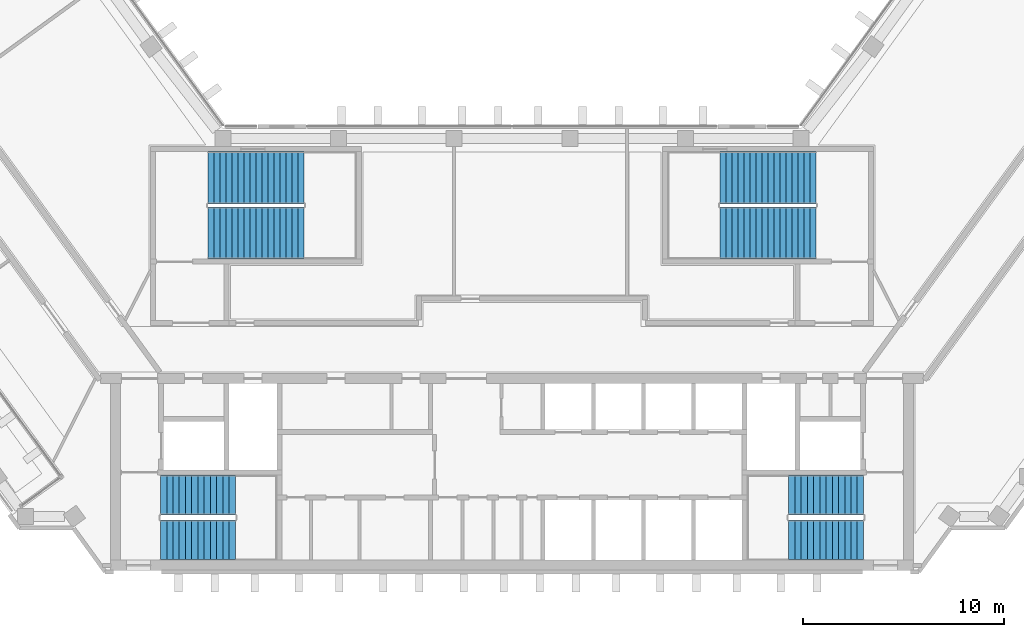
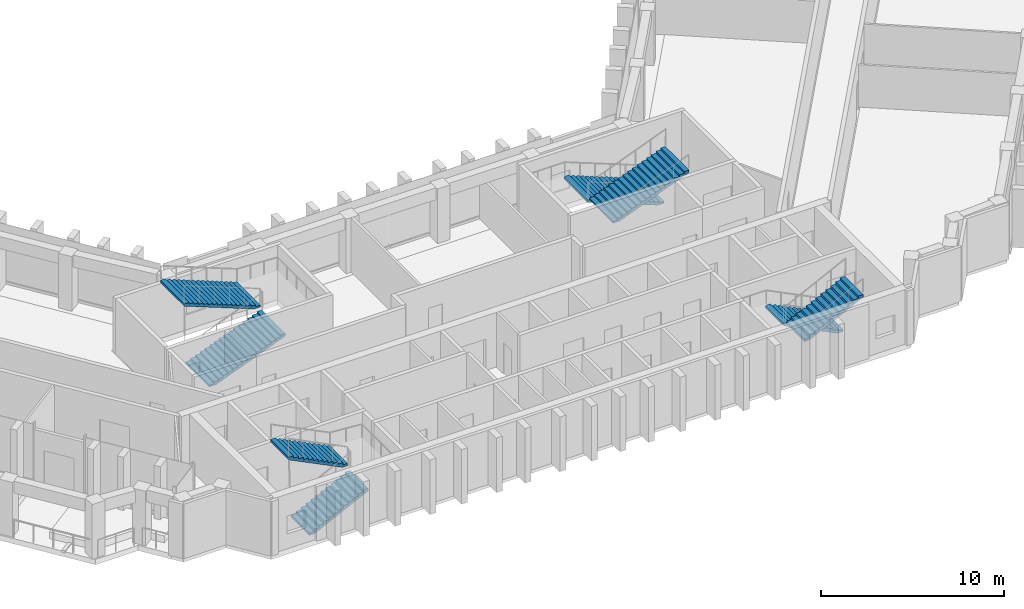
# One storey, part 10 of 12: 8 stair flights, 4 elements without a shape of their own.
"""IFC4 building model written with IfcOpenShell, lengths in metres."""

from ifc_helpers import new_model, si_unit, direction, frame, origin, place, context, subcontext, project, spatial, polyline, outline, extrude, material, type_object, element, aggregate, save


model = new_model("IFC4")

# Units and contexts
model_context = context("Model", 3, precision=1e-05, world=origin(), true_north=direction((0.0, 1.0)))
body_context = subcontext(model_context, "Body", "Model", "MODEL_VIEW")
ifc_project = project(units=[si_unit("LENGTHUNIT", "METRE"), si_unit("AREAUNIT", "SQUARE_METRE"), si_unit("VOLUMEUNIT", "CUBIC_METRE"), si_unit("PLANEANGLEUNIT", "RADIAN"), si_unit("MASSUNIT", "GRAM", prefix="KILO")], contexts=[model_context])

# Site, building, storey
site_placement = place(None, origin())
site = spatial("IfcSite", under=ifc_project, at=site_placement, CompositionType="ELEMENT")
building_placement = place(site_placement, origin())
building = spatial("IfcBuilding", under=site, at=building_placement, Name="Quipu Civic Tower", CompositionType="ELEMENT")
storey_placement = place(building_placement, frame((0.0, 0.0, 164.0)))
storey = spatial("IfcBuildingStorey", under=building, at=storey_placement, Name="L38", CompositionType="ELEMENT", Elevation=164.0)

# Stair, stair flights
ifc_material_1 = material(Name="Concrete C40/50", Category="concrete")
stair_type_1 = type_object("IfcStairType", Name="Half turn stair 2000", PredefinedType="HALF_TURN_STAIR", material=ifc_material_1)
stair_1_placement = place(storey_placement, origin())
stair_1 = element("IfcStair", 1, at=stair_1_placement, inside=storey, type_object=stair_type_1, Name="Exit stair 1", PredefinedType="HALF_TURN_STAIR")
ifc_material_2 = material(Name="Concrete C40/50", Category="concrete")
stair_flight_type_1 = type_object("IfcStairFlightType", Name="Stair flight 2000", PredefinedType="STRAIGHT", material=ifc_material_2)
stair_flight_1_placement = place(storey_placement, frame((-17.5, -9.5, 0.0), z_axis=(0.0, 0.0, 1.0), x_axis=(1.0, 0.0, 0.0)))
stair_flight_1 = element("IfcStairFlight", 2, at=stair_flight_1_placement, type_object=stair_flight_type_1, Name="ST-1 flight 1", NumberOfRisers=13, NumberOfTreads=12, PredefinedType="STRAIGHT", RiserHeight=0.153846154, TreadLength=0.31, context=body_context, shape_type="SweptSolid", body=[
    extrude(outline(polyline([(0.0, 0.0), (0.0, 0.15380859375), (0.31005859375, 0.15380859375), (0.31005859375, 0.3076171875), (0.6201171875, 0.3076171875), (0.6201171875, 0.46142578125), (0.929931640625, 0.46142578125), (0.929931640625, 0.615478515625), (1.239990234375, 0.615478515625), (1.239990234375, 0.769287109375), (1.550048828125, 0.769287109375), (1.550048828125, 0.923095703125), (1.860107421875, 0.923095703125), (1.860107421875, 1.076904296875), (2.169921875, 1.076904296875), (2.169921875, 1.230712890625), (2.47998046875, 1.230712890625), (2.47998046875, 1.384521484375), (2.7900390625, 1.384521484375), (2.7900390625, 1.53857421875), (3.10009765625, 1.53857421875), (3.10009765625, 1.6923828125), (3.409912109375, 1.6923828125), (3.409912109375, 1.84619140625), (3.719970703125, 1.84619140625), (3.719970703125, 2.0), (3.719970703125, 1.6787109375), (0.337158203125, 0.0), (0.0, 0.0)])), frame((0.0, 1.0, 0.0), z_axis=(0.0, -1.0, 0.0), x_axis=(1.0, 0.0, 0.0)), (0.0, 0.0, 1.0), 2.0),
])
stair_flight_2_placement = place(storey_placement, frame((-13.780029296875, -7.25, 2.0), z_axis=(0.0, 0.0, 1.0), x_axis=(-1.0, 0.0, 0.0)))
stair_flight_2 = element("IfcStairFlight", 3, at=stair_flight_2_placement, type_object=stair_flight_type_1, Name="ST-1 flight 2", NumberOfRisers=13, NumberOfTreads=12, PredefinedType="STRAIGHT", RiserHeight=0.153846154, TreadLength=0.31, context=body_context, shape_type="SweptSolid", body=[
    extrude(outline(polyline([(0.0, 0.0), (0.0, 0.15380859375), (0.31005859375, 0.15380859375), (0.31005859375, 0.3076171875), (0.6201171875, 0.3076171875), (0.6201171875, 0.46142578125), (0.929931640625, 0.46142578125), (0.929931640625, 0.615478515625), (1.239990234375, 0.615478515625), (1.239990234375, 0.769287109375), (1.550048828125, 0.769287109375), (1.550048828125, 0.923095703125), (1.860107421875, 0.923095703125), (1.860107421875, 1.076904296875), (2.169921875, 1.076904296875), (2.169921875, 1.230712890625), (2.47998046875, 1.230712890625), (2.47998046875, 1.384521484375), (2.7900390625, 1.384521484375), (2.7900390625, 1.53857421875), (3.10009765625, 1.53857421875), (3.10009765625, 1.6923828125), (3.409912109375, 1.6923828125), (3.409912109375, 1.84619140625), (3.719970703125, 1.84619140625), (3.719970703125, 2.0), (3.719970703125, 1.6787109375), (0.337158203125, 0.0), (0.0, 0.0)])), frame((0.0, 1.0, 0.0), z_axis=(0.0, -1.0, 0.0), x_axis=(1.0, 0.0, 0.0)), (0.0, 0.0, 1.0), 2.0),
])
aggregate(stair_1, [stair_flight_1, stair_flight_2])

stair_2_placement = place(storey_placement, origin())
stair_2 = element("IfcStair", 4, at=stair_2_placement, inside=storey, type_object=stair_type_1, Name="Exit stair 2", PredefinedType="HALF_TURN_STAIR")
stair_flight_3_placement = place(storey_placement, frame((17.5, -7.25, 0.0), z_axis=(0.0, 0.0, 1.0), x_axis=(-1.0, 0.0, 0.0)))
stair_flight_3 = element("IfcStairFlight", 5, at=stair_flight_3_placement, type_object=stair_flight_type_1, Name="ST-2 flight 1", NumberOfRisers=13, NumberOfTreads=12, PredefinedType="STRAIGHT", RiserHeight=0.153846154, TreadLength=0.31, context=body_context, shape_type="SweptSolid", body=[
    extrude(outline(polyline([(0.0, 0.0), (0.0, 0.15380859375), (0.31005859375, 0.15380859375), (0.31005859375, 0.3076171875), (0.6201171875, 0.3076171875), (0.6201171875, 0.46142578125), (0.929931640625, 0.46142578125), (0.929931640625, 0.615478515625), (1.239990234375, 0.615478515625), (1.239990234375, 0.769287109375), (1.550048828125, 0.769287109375), (1.550048828125, 0.923095703125), (1.860107421875, 0.923095703125), (1.860107421875, 1.076904296875), (2.169921875, 1.076904296875), (2.169921875, 1.230712890625), (2.47998046875, 1.230712890625), (2.47998046875, 1.384521484375), (2.7900390625, 1.384521484375), (2.7900390625, 1.53857421875), (3.10009765625, 1.53857421875), (3.10009765625, 1.6923828125), (3.409912109375, 1.6923828125), (3.409912109375, 1.84619140625), (3.719970703125, 1.84619140625), (3.719970703125, 2.0), (3.719970703125, 1.6787109375), (0.337158203125, 0.0), (0.0, 0.0)])), frame((0.0, 1.0, 0.0), z_axis=(0.0, -1.0, 0.0), x_axis=(1.0, 0.0, 0.0)), (0.0, 0.0, 1.0), 2.0),
])
stair_flight_4_placement = place(storey_placement, frame((13.780029296875, -9.5, 2.0), z_axis=(0.0, 0.0, 1.0), x_axis=(1.0, 0.0, 0.0)))
stair_flight_4 = element("IfcStairFlight", 6, at=stair_flight_4_placement, type_object=stair_flight_type_1, Name="ST-2 flight 2", NumberOfRisers=13, NumberOfTreads=12, PredefinedType="STRAIGHT", RiserHeight=0.153846154, TreadLength=0.31, context=body_context, shape_type="SweptSolid", body=[
    extrude(outline(polyline([(0.0, 0.0), (0.0, 0.15380859375), (0.31005859375, 0.15380859375), (0.31005859375, 0.3076171875), (0.6201171875, 0.3076171875), (0.6201171875, 0.46142578125), (0.929931640625, 0.46142578125), (0.929931640625, 0.615478515625), (1.239990234375, 0.615478515625), (1.239990234375, 0.769287109375), (1.550048828125, 0.769287109375), (1.550048828125, 0.923095703125), (1.860107421875, 0.923095703125), (1.860107421875, 1.076904296875), (2.169921875, 1.076904296875), (2.169921875, 1.230712890625), (2.47998046875, 1.230712890625), (2.47998046875, 1.384521484375), (2.7900390625, 1.384521484375), (2.7900390625, 1.53857421875), (3.10009765625, 1.53857421875), (3.10009765625, 1.6923828125), (3.409912109375, 1.6923828125), (3.409912109375, 1.84619140625), (3.719970703125, 1.84619140625), (3.719970703125, 2.0), (3.719970703125, 1.6787109375), (0.337158203125, 0.0), (0.0, 0.0)])), frame((0.0, 1.0, 0.0), z_axis=(0.0, -1.0, 0.0), x_axis=(1.0, 0.0, 0.0)), (0.0, 0.0, 1.0), 2.0),
])
aggregate(stair_2, [stair_flight_3, stair_flight_4])

ifc_material_3 = material(Name="Concrete C40/50", Category="concrete")
stair_type_2 = type_object("IfcStairType", Name="Half turn stair 2600", PredefinedType="HALF_TURN_STAIR", material=ifc_material_3)
stair_3_placement = place(storey_placement, origin())
stair_3 = element("IfcStair", 7, at=stair_3_placement, inside=storey, type_object=stair_type_2, Name="Exit stair 3", PredefinedType="HALF_TURN_STAIR")
ifc_material_4 = material(Name="Concrete C40/50", Category="concrete")
stair_flight_type_2 = type_object("IfcStairFlightType", Name="Stair flight 2600", PredefinedType="STRAIGHT", material=ifc_material_4)
stair_flight_5_placement = place(storey_placement, frame((-15.14990234375, 5.800048828125, 0.0), z_axis=(0.0, 0.0, 1.0), x_axis=(1.0, 0.0, 0.0)))
stair_flight_5 = element("IfcStairFlight", 8, at=stair_flight_5_placement, type_object=stair_flight_type_2, Name="ST-3 flight 1", NumberOfRisers=17, NumberOfTreads=16, PredefinedType="STRAIGHT", RiserHeight=0.117647059, TreadLength=0.3, context=body_context, shape_type="SweptSolid", body=[
    extrude(outline(polyline([(0.0, 0.0), (0.0, 0.11767578125), (0.300048828125, 0.11767578125), (0.300048828125, 0.2353515625), (0.60009765625, 0.2353515625), (0.60009765625, 0.35302734375), (0.89990234375, 0.35302734375), (0.89990234375, 0.470703125), (1.199951171875, 0.470703125), (1.199951171875, 0.588134765625), (1.5, 0.588134765625), (1.5, 0.705810546875), (1.800048828125, 0.705810546875), (1.800048828125, 0.823486328125), (2.10009765625, 0.823486328125), (2.10009765625, 0.941162109375), (2.39990234375, 0.941162109375), (2.39990234375, 1.058837890625), (2.699951171875, 1.058837890625), (2.699951171875, 1.176513671875), (3.0, 1.176513671875), (3.0, 1.294189453125), (3.300048828125, 1.294189453125), (3.300048828125, 1.411865234375), (3.60009765625, 1.411865234375), (3.60009765625, 1.529296875), (3.89990234375, 1.529296875), (3.89990234375, 1.64697265625), (4.199951171875, 1.64697265625), (4.199951171875, 1.7646484375), (4.5, 1.7646484375), (4.5, 1.88232421875), (4.800048828125, 1.88232421875), (4.800048828125, 2.0), (4.800048828125, 1.721435546875), (0.41064453125, 0.0), (0.0, 0.0)])), frame((0.0, 1.300048828125, 0.0), z_axis=(0.0, -1.0, 0.0), x_axis=(1.0, 0.0, 0.0)), (0.0, 0.0, 1.0), 2.60009765625),
])
stair_flight_6_placement = place(storey_placement, frame((-10.35009765625, 8.550048828125, 2.0), z_axis=(0.0, 0.0, 1.0), x_axis=(-1.0, 0.0, 0.0)))
stair_flight_6 = element("IfcStairFlight", 9, at=stair_flight_6_placement, type_object=stair_flight_type_2, Name="ST-3 flight 2", NumberOfRisers=17, NumberOfTreads=16, PredefinedType="STRAIGHT", RiserHeight=0.117647059, TreadLength=0.3, context=body_context, shape_type="SweptSolid", body=[
    extrude(outline(polyline([(0.0, 0.0), (0.0, 0.11767578125), (0.300048828125, 0.11767578125), (0.300048828125, 0.2353515625), (0.60009765625, 0.2353515625), (0.60009765625, 0.35302734375), (0.89990234375, 0.35302734375), (0.89990234375, 0.470703125), (1.199951171875, 0.470703125), (1.199951171875, 0.588134765625), (1.5, 0.588134765625), (1.5, 0.705810546875), (1.800048828125, 0.705810546875), (1.800048828125, 0.823486328125), (2.10009765625, 0.823486328125), (2.10009765625, 0.941162109375), (2.39990234375, 0.941162109375), (2.39990234375, 1.058837890625), (2.699951171875, 1.058837890625), (2.699951171875, 1.176513671875), (3.0, 1.176513671875), (3.0, 1.294189453125), (3.300048828125, 1.294189453125), (3.300048828125, 1.411865234375), (3.60009765625, 1.411865234375), (3.60009765625, 1.529296875), (3.89990234375, 1.529296875), (3.89990234375, 1.64697265625), (4.199951171875, 1.64697265625), (4.199951171875, 1.7646484375), (4.5, 1.7646484375), (4.5, 1.88232421875), (4.800048828125, 1.88232421875), (4.800048828125, 2.0), (4.800048828125, 1.721435546875), (0.41064453125, 0.0), (0.0, 0.0)])), frame((0.0, 1.300048828125, 0.0), z_axis=(0.0, -1.0, 0.0), x_axis=(1.0, 0.0, 0.0)), (0.0, 0.0, 1.0), 2.60009765625),
])
aggregate(stair_3, [stair_flight_5, stair_flight_6])

stair_4_placement = place(storey_placement, origin())
stair_4 = element("IfcStair", 10, at=stair_4_placement, inside=storey, type_object=stair_type_2, Name="Exit stair 4", PredefinedType="HALF_TURN_STAIR")
stair_flight_7_placement = place(storey_placement, frame((15.14990234375, 8.550048828125, 0.0), z_axis=(0.0, 0.0, 1.0), x_axis=(-1.0, 0.0, 0.0)))
stair_flight_7 = element("IfcStairFlight", 11, at=stair_flight_7_placement, type_object=stair_flight_type_2, Name="ST-4 flight 1", NumberOfRisers=17, NumberOfTreads=16, PredefinedType="STRAIGHT", RiserHeight=0.117647059, TreadLength=0.3, context=body_context, shape_type="SweptSolid", body=[
    extrude(outline(polyline([(0.0, 0.0), (0.0, 0.11767578125), (0.300048828125, 0.11767578125), (0.300048828125, 0.2353515625), (0.60009765625, 0.2353515625), (0.60009765625, 0.35302734375), (0.89990234375, 0.35302734375), (0.89990234375, 0.470703125), (1.199951171875, 0.470703125), (1.199951171875, 0.588134765625), (1.5, 0.588134765625), (1.5, 0.705810546875), (1.800048828125, 0.705810546875), (1.800048828125, 0.823486328125), (2.10009765625, 0.823486328125), (2.10009765625, 0.941162109375), (2.39990234375, 0.941162109375), (2.39990234375, 1.058837890625), (2.699951171875, 1.058837890625), (2.699951171875, 1.176513671875), (3.0, 1.176513671875), (3.0, 1.294189453125), (3.300048828125, 1.294189453125), (3.300048828125, 1.411865234375), (3.60009765625, 1.411865234375), (3.60009765625, 1.529296875), (3.89990234375, 1.529296875), (3.89990234375, 1.64697265625), (4.199951171875, 1.64697265625), (4.199951171875, 1.7646484375), (4.5, 1.7646484375), (4.5, 1.88232421875), (4.800048828125, 1.88232421875), (4.800048828125, 2.0), (4.800048828125, 1.721435546875), (0.41064453125, 0.0), (0.0, 0.0)])), frame((0.0, 1.300048828125, 0.0), z_axis=(0.0, -1.0, 0.0), x_axis=(1.0, 0.0, 0.0)), (0.0, 0.0, 1.0), 2.60009765625),
])
stair_flight_8_placement = place(storey_placement, frame((10.35009765625, 5.800048828125, 2.0), z_axis=(0.0, 0.0, 1.0), x_axis=(1.0, 0.0, 0.0)))
stair_flight_8 = element("IfcStairFlight", 12, at=stair_flight_8_placement, type_object=stair_flight_type_2, Name="ST-4 flight 2", NumberOfRisers=17, NumberOfTreads=16, PredefinedType="STRAIGHT", RiserHeight=0.117647059, TreadLength=0.3, context=body_context, shape_type="SweptSolid", body=[
    extrude(outline(polyline([(0.0, 0.0), (0.0, 0.11767578125), (0.300048828125, 0.11767578125), (0.300048828125, 0.2353515625), (0.60009765625, 0.2353515625), (0.60009765625, 0.35302734375), (0.89990234375, 0.35302734375), (0.89990234375, 0.470703125), (1.199951171875, 0.470703125), (1.199951171875, 0.588134765625), (1.5, 0.588134765625), (1.5, 0.705810546875), (1.800048828125, 0.705810546875), (1.800048828125, 0.823486328125), (2.10009765625, 0.823486328125), (2.10009765625, 0.941162109375), (2.39990234375, 0.941162109375), (2.39990234375, 1.058837890625), (2.699951171875, 1.058837890625), (2.699951171875, 1.176513671875), (3.0, 1.176513671875), (3.0, 1.294189453125), (3.300048828125, 1.294189453125), (3.300048828125, 1.411865234375), (3.60009765625, 1.411865234375), (3.60009765625, 1.529296875), (3.89990234375, 1.529296875), (3.89990234375, 1.64697265625), (4.199951171875, 1.64697265625), (4.199951171875, 1.7646484375), (4.5, 1.7646484375), (4.5, 1.88232421875), (4.800048828125, 1.88232421875), (4.800048828125, 2.0), (4.800048828125, 1.721435546875), (0.41064453125, 0.0), (0.0, 0.0)])), frame((0.0, 1.300048828125, 0.0), z_axis=(0.0, -1.0, 0.0), x_axis=(1.0, 0.0, 0.0)), (0.0, 0.0, 1.0), 2.60009765625),
])
aggregate(stair_4, [stair_flight_7, stair_flight_8])

save(model, "model.ifc")
